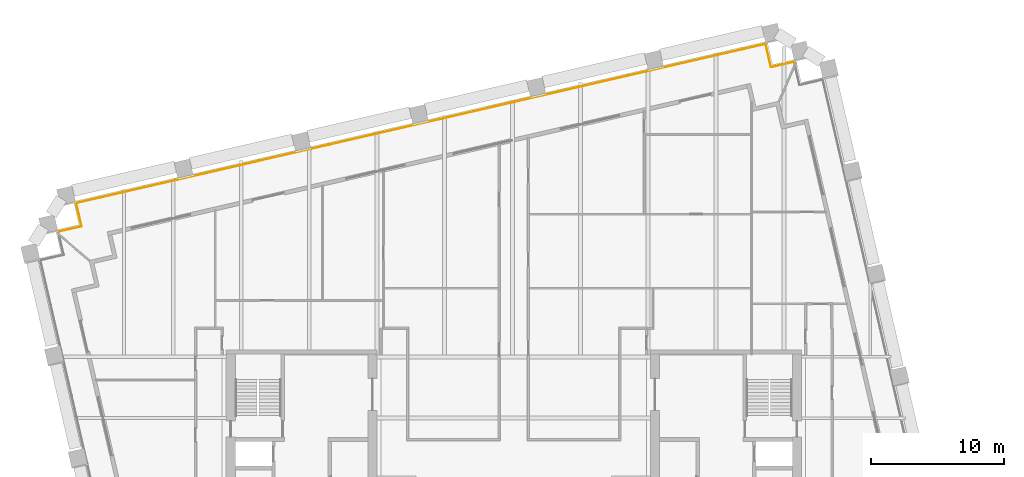
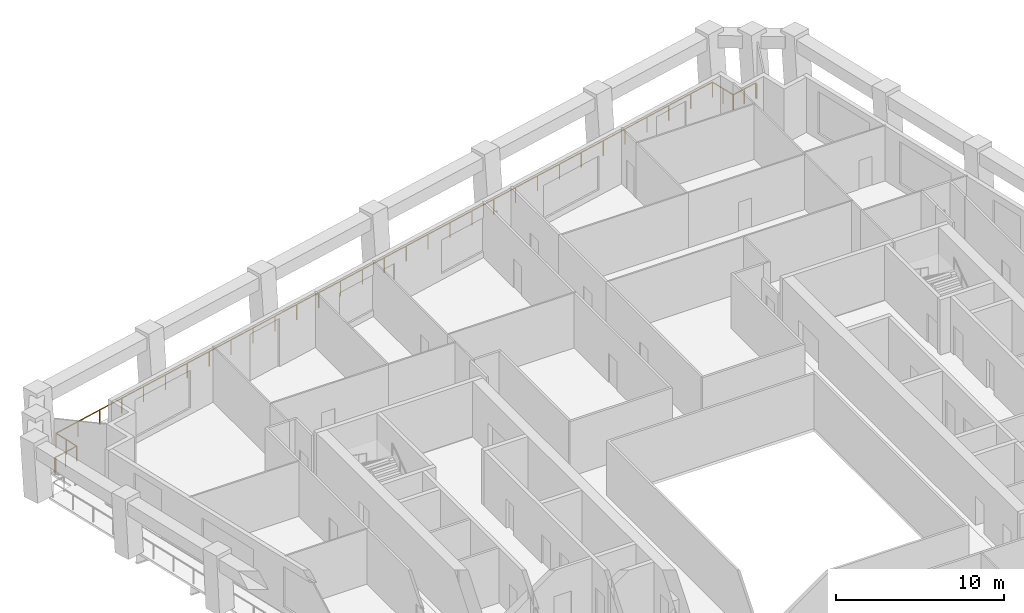
# One storey, part 11 of 11: 1 railing.
"""IFC4 building model written with IfcOpenShell, lengths in metres."""

from ifc_helpers import new_model, si_unit, direction, frame, origin, origin_2d, place, context, subcontext, project, spatial, circle, extrude, material, type_object, element, save


model = new_model("IFC4")

# Units and contexts
model_context = context("Model", 3, precision=1e-05, world=origin(), true_north=direction((0.0, 1.0)))
body_context = subcontext(model_context, "Body", "Model", "MODEL_VIEW")
ifc_project = project(units=[si_unit("LENGTHUNIT", "METRE"), si_unit("AREAUNIT", "SQUARE_METRE"), si_unit("VOLUMEUNIT", "CUBIC_METRE"), si_unit("PLANEANGLEUNIT", "RADIAN"), si_unit("MASSUNIT", "GRAM", prefix="KILO")], contexts=[model_context])

# Site, building, storey
site_placement = place(None, origin())
site = spatial("IfcSite", under=ifc_project, at=site_placement, CompositionType="ELEMENT")
building_placement = place(site_placement, origin())
building = spatial("IfcBuilding", under=site, at=building_placement, Name="Ogive Exchange Tower", CompositionType="ELEMENT")
storey_placement = place(building_placement, frame((0.0, 0.0, 175.800048828125)))
storey = spatial("IfcBuildingStorey", under=building, at=storey_placement, Name="L38", CompositionType="ELEMENT", Elevation=175.800048828125)

# Railing
ifc_material = material(Name="Stainless steel 316", Category="steel")
railing_type = type_object("IfcRailingType", Name="Guard 1100 stainless steel and glass", PredefinedType="GUARDRAIL", material=ifc_material)
railing_placement = place(storey_placement, frame((-34.32421875, 34.569580078125, -0.050048828125)))
element("IfcRailing", 1, at=railing_placement, inside=storey, type_object=railing_type, Name="Loggia guard 3", PredefinedType="GUARDRAIL", context=body_context, shape_type="SweptSolid", body=[
    extrude(circle(Radius=0.02392578125, at=origin_2d()), frame((0.0, 0.0, 1.076171875), z_axis=(-0.226609639652, 0.973985662737, 0.0), x_axis=(-0.973985662737, -0.226609639652, 0.0)), (0.0, 0.0, 1.0), 0.112060546875),
    extrude(circle(Radius=0.02392578125, at=origin_2d()), frame((-0.025390625, 0.109130859375, 1.076171875), z_axis=(0.974386623598, 0.224879318197, 0.0), x_axis=(-0.224879318197, 0.974386623598, 0.0)), (0.0, 0.0, 1.0), 1.800048828125),
    extrude(circle(Radius=0.02392578125, at=origin_2d()), frame((1.728515625, 0.513916015625, 1.076171875), z_axis=(-0.224879318197, 0.974386623598, 0.0), x_axis=(-0.974386623598, -0.224879318197, 0.0)), (0.0, 0.0, 1.0), 1.800048828125),
    extrude(circle(Radius=0.02392578125, at=origin_2d()), frame((1.32373046875, 2.267822265625, 1.076171875), z_axis=(0.97436998541, 0.224951398156, 0.0), x_axis=(-0.224951398156, 0.97436998541, 0.0)), (0.0, 0.0, 1.0), 53.360107421875),
    extrude(circle(Radius=0.02392578125, at=origin_2d()), frame((53.316162109375, 14.271240234375, 1.076171875), z_axis=(0.224879318197, -0.974386623598, 0.0), x_axis=(0.974386623598, 0.224879318197, 0.0)), (0.0, 0.0, 1.0), 1.800048828125),
    extrude(circle(Radius=0.02392578125, at=origin_2d()), frame((53.720947265625, 12.517333984375, 1.076171875), z_axis=(0.974386623598, 0.224879318197, 0.0), x_axis=(-0.224879318197, 0.974386623598, 0.0)), (0.0, 0.0, 1.0), 1.800048828125),
    extrude(circle(Radius=0.02392578125, at=origin_2d()), frame((55.474853515625, 12.922119140625, 1.076171875), z_axis=(0.22501905685, -0.97435436267, 0.0), x_axis=(0.97435436267, 0.22501905685, 0.0)), (0.0, 0.0, 1.0), 0.11181640625),
    extrude(circle(Radius=0.02099609375, at=origin_2d()), origin(), (0.0, 0.0, 1.0), 1.052001953125),
    extrude(circle(Radius=0.02099609375, at=origin_2d()), frame((-0.025390625, 0.109130859375, 0.0)), (0.0, 0.0, 1.0), 1.052001953125),
    extrude(circle(Radius=0.02099609375, at=origin_2d()), frame((0.8515625, 0.3115234375, 0.0)), (0.0, 0.0, 1.0), 1.052001953125),
    extrude(circle(Radius=0.02099609375, at=origin_2d()), frame((1.728515625, 0.513916015625, 0.0)), (0.0, 0.0, 1.0), 1.052001953125),
    extrude(circle(Radius=0.02099609375, at=origin_2d()), frame((1.526123046875, 1.390869140625, 0.0)), (0.0, 0.0, 1.0), 1.052001953125),
    extrude(circle(Radius=0.02099609375, at=origin_2d()), frame((1.32373046875, 2.267822265625, 0.0)), (0.0, 0.0, 1.0), 1.052001953125),
    extrude(circle(Radius=0.02099609375, at=origin_2d()), frame((3.056884765625, 2.66796875, 0.0)), (0.0, 0.0, 1.0), 1.052001953125),
    extrude(circle(Radius=0.02099609375, at=origin_2d()), frame((4.789794921875, 3.068115234375, 0.0)), (0.0, 0.0, 1.0), 1.052001953125),
    extrude(circle(Radius=0.02099609375, at=origin_2d()), frame((6.52294921875, 3.46826171875, 0.0)), (0.0, 0.0, 1.0), 1.052001953125),
    extrude(circle(Radius=0.02099609375, at=origin_2d()), frame((8.256103515625, 3.8681640625, 0.0)), (0.0, 0.0, 1.0), 1.052001953125),
    extrude(circle(Radius=0.02099609375, at=origin_2d()), frame((9.9892578125, 4.268310546875, 0.0)), (0.0, 0.0, 1.0), 1.052001953125),
    extrude(circle(Radius=0.02099609375, at=origin_2d()), frame((11.72216796875, 4.66845703125, 0.0)), (0.0, 0.0, 1.0), 1.052001953125),
    extrude(circle(Radius=0.02099609375, at=origin_2d()), frame((13.455322265625, 5.068603515625, 0.0)), (0.0, 0.0, 1.0), 1.052001953125),
    extrude(circle(Radius=0.02099609375, at=origin_2d()), frame((15.1884765625, 5.46875, 0.0)), (0.0, 0.0, 1.0), 1.052001953125),
    extrude(circle(Radius=0.02099609375, at=origin_2d()), frame((16.92138671875, 5.868896484375, 0.0)), (0.0, 0.0, 1.0), 1.052001953125),
    extrude(circle(Radius=0.02099609375, at=origin_2d()), frame((18.654541015625, 6.26904296875, 0.0)), (0.0, 0.0, 1.0), 1.052001953125),
    extrude(circle(Radius=0.02099609375, at=origin_2d()), frame((20.3876953125, 6.669189453125, 0.0)), (0.0, 0.0, 1.0), 1.052001953125),
    extrude(circle(Radius=0.02099609375, at=origin_2d()), frame((22.12060546875, 7.069091796875, 0.0)), (0.0, 0.0, 1.0), 1.052001953125),
    extrude(circle(Radius=0.02099609375, at=origin_2d()), frame((23.853759765625, 7.46923828125, 0.0)), (0.0, 0.0, 1.0), 1.052001953125),
    extrude(circle(Radius=0.02099609375, at=origin_2d()), frame((25.5869140625, 7.869384765625, 0.0)), (0.0, 0.0, 1.0), 1.052001953125),
    extrude(circle(Radius=0.02099609375, at=origin_2d()), frame((27.31982421875, 8.26953125, 0.0)), (0.0, 0.0, 1.0), 1.052001953125),
    extrude(circle(Radius=0.02099609375, at=origin_2d()), frame((29.052978515625, 8.669677734375, 0.0)), (0.0, 0.0, 1.0), 1.052001953125),
    extrude(circle(Radius=0.02099609375, at=origin_2d()), frame((30.7861328125, 9.06982421875, 0.0)), (0.0, 0.0, 1.0), 1.052001953125),
    extrude(circle(Radius=0.02099609375, at=origin_2d()), frame((32.519287109375, 9.469970703125, 0.0)), (0.0, 0.0, 1.0), 1.052001953125),
    extrude(circle(Radius=0.02099609375, at=origin_2d()), frame((34.252197265625, 9.869873046875, 0.0)), (0.0, 0.0, 1.0), 1.052001953125),
    extrude(circle(Radius=0.02099609375, at=origin_2d()), frame((35.9853515625, 10.27001953125, 0.0)), (0.0, 0.0, 1.0), 1.052001953125),
    extrude(circle(Radius=0.02099609375, at=origin_2d()), frame((37.718505859375, 10.670166015625, 0.0)), (0.0, 0.0, 1.0), 1.052001953125),
    extrude(circle(Radius=0.02099609375, at=origin_2d()), frame((39.451416015625, 11.0703125, 0.0)), (0.0, 0.0, 1.0), 1.052001953125),
    extrude(circle(Radius=0.02099609375, at=origin_2d()), frame((41.1845703125, 11.470458984375, 0.0)), (0.0, 0.0, 1.0), 1.052001953125),
    extrude(circle(Radius=0.02099609375, at=origin_2d()), frame((42.917724609375, 11.87060546875, 0.0)), (0.0, 0.0, 1.0), 1.052001953125),
    extrude(circle(Radius=0.02099609375, at=origin_2d()), frame((44.65087890625, 12.270751953125, 0.0)), (0.0, 0.0, 1.0), 1.052001953125),
    extrude(circle(Radius=0.02099609375, at=origin_2d()), frame((46.3837890625, 12.6708984375, 0.0)), (0.0, 0.0, 1.0), 1.052001953125),
    extrude(circle(Radius=0.02099609375, at=origin_2d()), frame((48.116943359375, 13.07080078125, 0.0)), (0.0, 0.0, 1.0), 1.052001953125),
    extrude(circle(Radius=0.02099609375, at=origin_2d()), frame((49.85009765625, 13.470947265625, 0.0)), (0.0, 0.0, 1.0), 1.052001953125),
    extrude(circle(Radius=0.02099609375, at=origin_2d()), frame((51.5830078125, 13.87109375, 0.0)), (0.0, 0.0, 1.0), 1.052001953125),
    extrude(circle(Radius=0.02099609375, at=origin_2d()), frame((53.316162109375, 14.271240234375, 0.0)), (0.0, 0.0, 1.0), 1.052001953125),
    extrude(circle(Radius=0.02099609375, at=origin_2d()), frame((53.5185546875, 13.394287109375, 0.0)), (0.0, 0.0, 1.0), 1.052001953125),
    extrude(circle(Radius=0.02099609375, at=origin_2d()), frame((53.720947265625, 12.517333984375, 0.0)), (0.0, 0.0, 1.0), 1.052001953125),
    extrude(circle(Radius=0.02099609375, at=origin_2d()), frame((54.597900390625, 12.7197265625, 0.0)), (0.0, 0.0, 1.0), 1.052001953125),
    extrude(circle(Radius=0.02099609375, at=origin_2d()), frame((55.474853515625, 12.922119140625, 0.0)), (0.0, 0.0, 1.0), 1.052001953125),
    extrude(circle(Radius=0.02099609375, at=origin_2d()), frame((55.5, 12.813232421875, 0.0)), (0.0, 0.0, 1.0), 1.052001953125),
])

save(model, "model.ifc")
